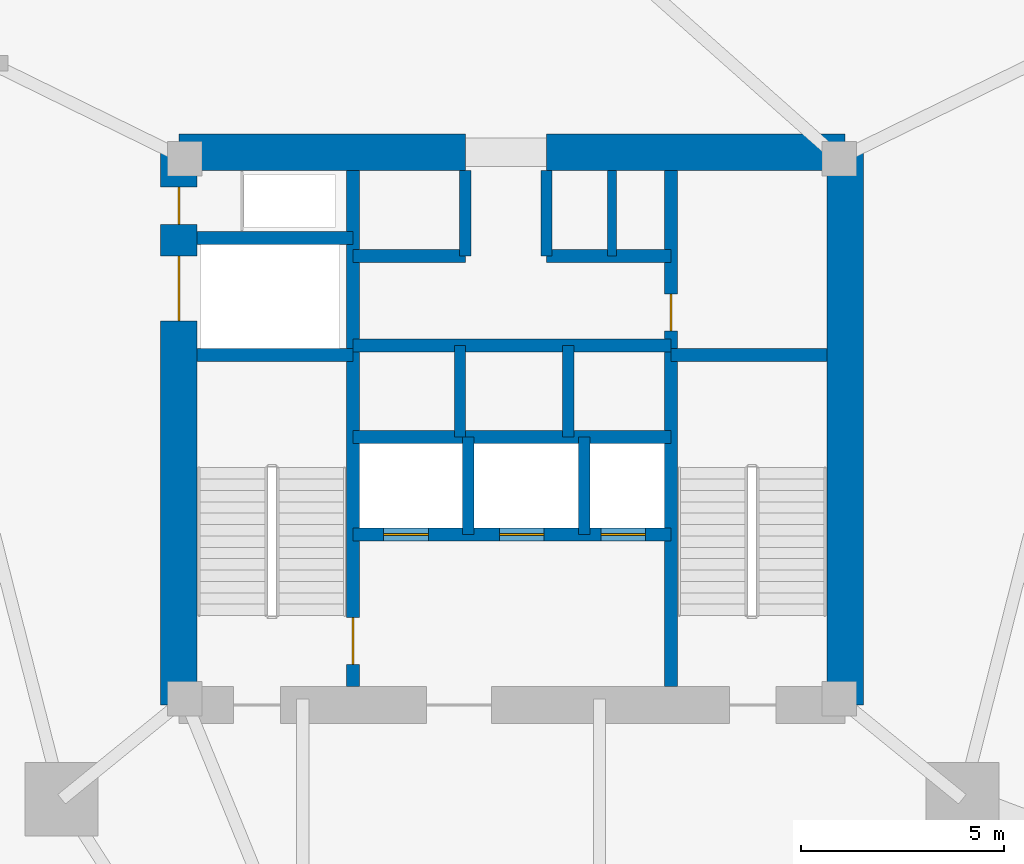
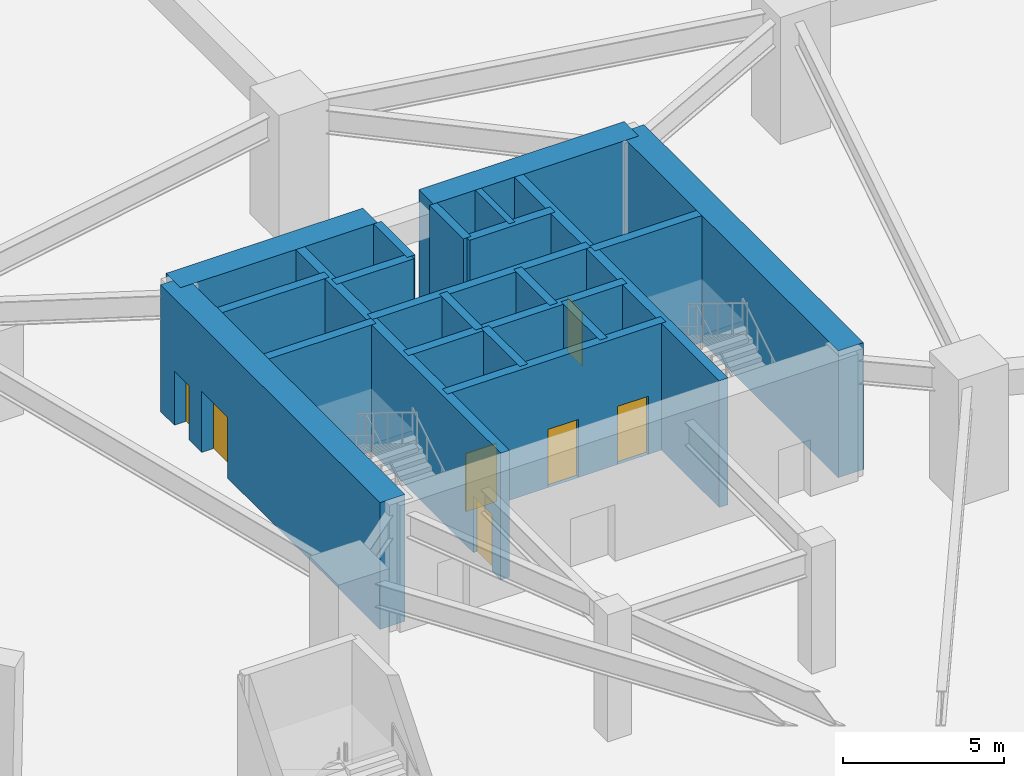
# One storey, part 5 of 7: 21 walls, 7 doors, 7 openings.
"""IFC4 building model written with IfcOpenShell, lengths in metres."""

from ifc_helpers import new_model, si_unit, direction, frame, frame_2d, origin, place, context, subcontext, project, spatial, rectangle, extrude, material, layer, layer_set, type_object, element, fill, save


model = new_model("IFC4")

# Units and contexts
model_context = context("Model", 3, precision=1e-05, world=origin(), true_north=direction((0.0, 1.0)))
body_context = subcontext(model_context, "Body", "Model", "MODEL_VIEW")
ifc_project = project(units=[si_unit("LENGTHUNIT", "METRE"), si_unit("AREAUNIT", "SQUARE_METRE"), si_unit("VOLUMEUNIT", "CUBIC_METRE"), si_unit("PLANEANGLEUNIT", "RADIAN"), si_unit("MASSUNIT", "GRAM", prefix="KILO")], contexts=[model_context])

# Site, building, storey
site_placement = place(None, origin())
site = spatial("IfcSite", under=ifc_project, at=site_placement, CompositionType="ELEMENT")
building_placement = place(site_placement, origin())
building = spatial("IfcBuilding", under=site, at=building_placement, Name="Talyreon Biosciences Tower", CompositionType="ELEMENT")
storey_placement = place(building_placement, frame((0.0, 0.0, -4.800048828125)))
storey = spatial("IfcBuildingStorey", under=building, at=storey_placement, Name="B1", CompositionType="ELEMENT", Elevation=-4.800048828125)

# Walls
ifc_material_1 = material(Name="Concrete C50/60", Category="concrete")
ifc_layer_1 = layer(ifc_material_1, 0.219970703125)
ifc_layer_set_1 = layer_set([ifc_layer_1], Name="Concrete C50/60")
wall_type_1 = type_object("IfcWallType", Name="CoreShearWall_220", PredefinedType="SHEAR", material=ifc_layer_set_1)
wall_1_placement = place(storey_placement, frame((68.4599609375, 72.25, 0.0), z_axis=(0.0, 0.0, 1.0), x_axis=(0.0, 1.0, 0.0)))
element("IfcWall", 1, at=wall_1_placement, inside=storey, type_object=wall_type_1, Name="B1 Core Shaft Wall SWPHD", PredefinedType="SHEAR", context=body_context, shape_type="SweptSolid", body=[
    extrude(rectangle(XDim=2.10009765625, YDim=0.219970703125, at=frame_2d((1.050048828125, 0.0))), origin(), (0.0, 0.0, 1.0), 4.800048828125),
])
ifc_layer_2 = layer(ifc_material_1, 0.280029296875)
ifc_layer_set_2 = layer_set([ifc_layer_2], Name="Concrete C50/60")
wall_type_2 = type_object("IfcWallType", Name="CoreShearWall_280", PredefinedType="SHEAR", material=ifc_layer_set_2)
wall_2_placement = place(storey_placement, frame((64.919921875, 65.39990234375, 0.0), z_axis=(0.0, 0.0, 1.0), x_axis=(0.0, 1.0, 0.0)))
element("IfcWall", 2, at=wall_2_placement, inside=storey, type_object=wall_type_2, Name="B1 Core Shaft Wall SWSHD1", PredefinedType="SHEAR", context=body_context, shape_type="SweptSolid", body=[
    extrude(rectangle(XDim=2.400146484375, YDim=0.280029296875, at=frame_2d((1.2001953125, 0.0))), origin(), (0.0, 0.0, 1.0), 4.800048828125),
])
for number, where, z_axis, x_axis, name in (
    (3, (64.85009765625, 72.25, 0.0), (0.0, 0.0, 1.0), (0.0, 1.0, 0.0), "B1 Core Shaft Wall SWTHW"),
    (4, (66.85009765625, 72.25, 0.0), (0.0, 0.0, 1.0), (0.0, 1.0, 0.0), "B1 Core Shaft Wall SWTHE"),
):
    element("IfcWall", number, at=place(storey_placement, frame(where, z_axis=z_axis, x_axis=x_axis)), inside=storey, type_object=wall_type_2, Name=name, PredefinedType="SHEAR", context=body_context, shape_type="SweptSolid", body=[
        extrude(rectangle(XDim=2.10009765625, YDim=0.280029296875, at=frame_2d((1.050048828125, 0.0))), origin(), (0.0, 0.0, 1.0), 4.800048828125),
    ])
wall_3_placement = place(storey_placement, frame((67.780029296875, 65.39990234375, 0.0), z_axis=(0.0, 0.0, 1.0), x_axis=(0.0, 1.0, 0.0)))
element("IfcWall", 5, at=wall_3_placement, inside=storey, type_object=wall_type_2, Name="B1 Core Shaft Wall SWSHD2", PredefinedType="SHEAR", context=body_context, shape_type="SweptSolid", body=[
    extrude(rectangle(XDim=2.400146484375, YDim=0.280029296875, at=frame_2d((1.2001953125, 0.0))), origin(), (0.0, 0.0, 1.0), 4.800048828125),
])
for number, where, z_axis, x_axis, name in (
    (6, (64.719970703125, 67.800048828125, 0.0), (0.0, 0.0, 1.0), (0.0, 1.0, 0.0), "B1 Core Shaft Wall SWPLD"),
    (7, (67.3798828125, 67.800048828125, 0.0), (0.0, 0.0, 1.0), (0.0, 1.0, 0.0), "B1 Core Shaft Wall SWPMD"),
):
    element("IfcWall", number, at=place(storey_placement, frame(where, z_axis=z_axis, x_axis=x_axis)), inside=storey, type_object=wall_type_2, Name=name, PredefinedType="SHEAR", context=body_context, shape_type="SweptSolid", body=[
        extrude(rectangle(XDim=2.25, YDim=0.280029296875, at=frame_2d((1.125, 0.0))), origin(), (0.0, 0.0, 1.0), 4.800048828125),
    ])

# Wall, opening, door
ifc_layer_3 = layer(ifc_material_1, 0.320068359375)
ifc_layer_set_3 = layer_set([ifc_layer_3], Name="Concrete C50/60")
wall_type_3 = type_object("IfcWallType", Name="CoreShearWall_320", PredefinedType="SHEAR", material=ifc_layer_set_3)
wall_4_placement = place(storey_placement, frame((62.090087890625, 61.64990234375, 0.0), z_axis=(0.0, 0.0, 1.0), x_axis=(0.0, 1.0, 0.0)))
wall_4 = element("IfcWall", 8, at=wall_4_placement, inside=storey, type_object=wall_type_3, Name="B1 Core Shaft Wall SW1E", PredefinedType="SHEAR", context=body_context, shape_type="SweptSolid", body=[
    extrude(rectangle(XDim=12.7001953125, YDim=0.320068359375, at=frame_2d((6.35009765625, 0.0))), origin(), (0.0, 0.0, 1.0), 4.800048828125),
])
opening_1_placement = place(wall_4_placement, frame((0.550048828125, 0.0, 0.0)))
opening_1 = element("IfcOpeningElement", 9, at=opening_1_placement, cuts=wall_4, Name="Opening DR-B1-FF-ST1", PredefinedType="OPENING", context=body_context, shape_type="SweptSolid", body=[
    extrude(rectangle(XDim=1.14990234375, YDim=2.14990234375, at=frame_2d((0.574951171875, 1.074951171875))), frame((0.0, 0.169921875, 0.0), z_axis=(0.0, -1.0, 0.0), x_axis=(1.0, 0.0, 0.0)), (0.0, 0.0, 1.0), 0.340087890625),
])
ifc_material_2 = material(Name="Painted steel fire door", Category="steel")
door_type_1 = type_object("IfcDoorType", Name="StairShaftFireDoor_1150x2150", OperationType="NOTDEFINED", PredefinedType="DOOR", material=ifc_material_2)
door_1_placement = place(opening_1_placement, origin())
door_1 = element("IfcDoor", 10, at=door_1_placement, inside=storey, type_object=door_type_1, Name="B1 Core Door DR-B1-FF-ST1", OperationType="SINGLE_SWING_LEFT", OverallHeight=2.14990234375, OverallWidth=1.14990234375, PredefinedType="DOOR", context=body_context, shape_type="SweptSolid", body=[
    extrude(rectangle(XDim=1.14990234375, YDim=2.14990234375, at=frame_2d((0.574951171875, 1.074951171875))), frame((0.0, 0.02490234375, 0.0), z_axis=(0.0, -1.0, 0.0), x_axis=(1.0, 0.0, 0.0)), (0.0, 0.0, 1.0), 0.050048828125),
])
fill(opening_1, door_1)

wall_5_placement = place(storey_placement, frame((69.909912109375, 61.64990234375, 0.0), z_axis=(0.0, 0.0, 1.0), x_axis=(0.0, 1.0, 0.0)))
wall_5 = element("IfcWall", 11, at=wall_5_placement, inside=storey, type_object=wall_type_3, Name="B1 Core Shaft Wall SW2W", PredefinedType="SHEAR", context=body_context, shape_type="SweptSolid", body=[
    extrude(rectangle(XDim=12.7001953125, YDim=0.320068359375, at=frame_2d((6.35009765625, 0.0))), origin(), (0.0, 0.0, 1.0), 4.800048828125),
])
opening_2_placement = place(wall_5_placement, frame((8.75, 0.0, 0.0)))
opening_2 = element("IfcOpeningElement", 12, at=opening_2_placement, cuts=wall_5, Name="Opening DR-B1-CSRV", PredefinedType="OPENING", context=body_context, shape_type="SweptSolid", body=[
    extrude(rectangle(XDim=0.919921875, YDim=2.050048828125, at=frame_2d((0.4599609375, 1.02490234375))), frame((0.0, 0.169921875, 0.0), z_axis=(0.0, -1.0, 0.0), x_axis=(1.0, 0.0, 0.0)), (0.0, 0.0, 1.0), 0.340087890625),
])
ifc_material_3 = material(Name="Painted steel fire-rated riser door", Category="steel")
door_type_2 = type_object("IfcDoorType", Name="RiserPlantAccessDoor_920x2050", OperationType="NOTDEFINED", PredefinedType="DOOR", material=ifc_material_3)
door_2_placement = place(opening_2_placement, origin())
door_2 = element("IfcDoor", 13, at=door_2_placement, inside=storey, type_object=door_type_2, Name="B1 Core Door DR-B1-CSRV", OperationType="SINGLE_SWING_RIGHT", OverallHeight=2.050048828125, OverallWidth=0.919921875, PredefinedType="DOOR", context=body_context, shape_type="SweptSolid", body=[
    extrude(rectangle(XDim=0.919921875, YDim=2.050048828125, at=frame_2d((0.4599609375, 1.02490234375))), frame((0.0, 0.02490234375, 0.0), z_axis=(0.0, -1.0, 0.0), x_axis=(1.0, 0.0, 0.0)), (0.0, 0.0, 1.0), 0.050048828125),
])
fill(opening_2, door_2)

# Walls
for number, where, z_axis, x_axis, name in (
    (14, (58.25, 69.81005859375, 0.0), (0.0, 0.0, 1.0), (1.0, 0.0, 0.0), "B1 Core Shaft Wall SW1N"),
    (15, (69.909912109375, 69.81005859375, 0.0), (0.0, 0.0, 1.0), (1.0, 0.0, 0.0), "B1 Core Shaft Wall SW2N"),
    (16, (58.25, 72.699951171875, 0.0), (0.0, 0.0, 1.0), (1.0, 0.0, 0.0), "B1 Core Shaft Wall SWGLN"),
):
    element("IfcWall", number, at=place(storey_placement, frame(where, z_axis=z_axis, x_axis=x_axis)), inside=storey, type_object=wall_type_3, Name=name, PredefinedType="SHEAR", context=body_context, shape_type="SweptSolid", body=[
        extrude(rectangle(XDim=3.840087890625, YDim=0.320068359375, at=frame_2d((1.919921875, 0.0))), origin(), (0.0, 0.0, 1.0), 4.800048828125),
    ])
for number, where, z_axis, x_axis, name in (
    (17, (62.090087890625, 67.800048828125, 0.0), (0.0, 0.0, 1.0), (1.0, 0.0, 0.0), "B1 Core Shaft Wall SWSHM"),
    (18, (62.090087890625, 70.050048828125, 0.0), (0.0, 0.0, 1.0), (1.0, 0.0, 0.0), "B1 Core Shaft Wall SWSPN"),
):
    element("IfcWall", number, at=place(storey_placement, frame(where, z_axis=z_axis, x_axis=x_axis)), inside=storey, type_object=wall_type_3, Name=name, PredefinedType="SHEAR", context=body_context, shape_type="SweptSolid", body=[
        extrude(rectangle(XDim=7.81982421875, YDim=0.320068359375, at=frame_2d((3.909912109375, 0.0))), origin(), (0.0, 0.0, 1.0), 4.800048828125),
    ])
wall_6_placement = place(storey_placement, frame((62.090087890625, 72.25, 0.0), z_axis=(0.0, 0.0, 1.0), x_axis=(1.0, 0.0, 0.0)))
element("IfcWall", 19, at=wall_6_placement, inside=storey, type_object=wall_type_3, Name="B1 Core Shaft Wall SWNPW", PredefinedType="SHEAR", context=body_context, shape_type="SweptSolid", body=[
    extrude(rectangle(XDim=2.760009765625, YDim=0.320068359375, at=frame_2d((1.3798828125, 0.0))), origin(), (0.0, 0.0, 1.0), 4.800048828125),
])
wall_7_placement = place(storey_placement, frame((66.85009765625, 72.25, 0.0), z_axis=(0.0, 0.0, 1.0), x_axis=(1.0, 0.0, 0.0)))
element("IfcWall", 20, at=wall_7_placement, inside=storey, type_object=wall_type_3, Name="B1 Core Shaft Wall SWNPE", PredefinedType="SHEAR", context=body_context, shape_type="SweptSolid", body=[
    extrude(rectangle(XDim=3.059814453125, YDim=0.320068359375, at=frame_2d((1.52978515625, 0.0))), origin(), (0.0, 0.0, 1.0), 4.800048828125),
])

# Wall, openings, doors
wall_8_placement = place(storey_placement, frame((62.090087890625, 65.39990234375, 0.0), z_axis=(0.0, 0.0, 1.0), x_axis=(1.0, 0.0, 0.0)))
wall_8 = element("IfcWall", 21, at=wall_8_placement, inside=storey, type_object=wall_type_3, Name="B1 Core Shaft Wall SWFFN", PredefinedType="SHEAR", context=body_context, shape_type="SweptSolid", body=[
    extrude(rectangle(XDim=7.81982421875, YDim=0.320068359375, at=frame_2d((3.909912109375, 0.0))), origin(), (0.0, 0.0, 1.0), 4.800048828125),
])
opening_3_placement = place(wall_8_placement, frame((6.10009765625, 0.0, 0.0)))
opening_3 = element("IfcOpeningElement", 22, at=opening_3_placement, cuts=wall_8, Name="Opening LD-B1-PK1", PredefinedType="OPENING", context=body_context, shape_type="SweptSolid", body=[
    extrude(rectangle(XDim=1.10009765625, YDim=2.199951171875, at=frame_2d((0.550048828125, 1.10009765625))), frame((0.0, 0.169921875, 0.0), z_axis=(0.0, -1.0, 0.0), x_axis=(1.0, 0.0, 0.0)), (0.0, 0.0, 1.0), 0.340087890625),
])
opening_4_placement = place(wall_8_placement, frame((0.75, 0.0, 0.0)))
opening_4 = element("IfcOpeningElement", 23, at=opening_4_placement, cuts=wall_8, Name="Opening LD-B1-FL1", PredefinedType="OPENING", context=body_context, shape_type="SweptSolid", body=[
    extrude(rectangle(XDim=1.10009765625, YDim=2.199951171875, at=frame_2d((0.550048828125, 1.10009765625))), frame((0.0, 0.169921875, 0.0), z_axis=(0.0, -1.0, 0.0), x_axis=(1.0, 0.0, 0.0)), (0.0, 0.0, 1.0), 0.340087890625),
])
opening_5_placement = place(wall_8_placement, frame((3.60009765625, 0.0, 0.0)))
opening_5 = element("IfcOpeningElement", 24, at=opening_5_placement, cuts=wall_8, Name="Opening LD-B1-FL2", PredefinedType="OPENING", context=body_context, shape_type="SweptSolid", body=[
    extrude(rectangle(XDim=1.10009765625, YDim=2.199951171875, at=frame_2d((0.550048828125, 1.10009765625))), frame((0.0, 0.169921875, 0.0), z_axis=(0.0, -1.0, 0.0), x_axis=(1.0, 0.0, 0.0)), (0.0, 0.0, 1.0), 0.340087890625),
])
ifc_material_4 = material(Name="Brushed stainless-steel lift landing door", Category="steel")
door_type_3 = type_object("IfcDoorType", Name="LiftSlidingLandingDoor_1100x2200", OperationType="SLIDING_TO_LEFT", PredefinedType="DOOR", material=ifc_material_4)
door_3_placement = place(opening_3_placement, origin())
door_3 = element("IfcDoor", 25, at=door_3_placement, inside=storey, type_object=door_type_3, Name="B1 Core Door LD-B1-PK1", OperationType="SLIDING_TO_LEFT", OverallHeight=2.199951171875, OverallWidth=1.10009765625, PredefinedType="DOOR", context=body_context, shape_type="SweptSolid", body=[
    extrude(rectangle(XDim=1.10009765625, YDim=2.199951171875, at=frame_2d((0.550048828125, 1.10009765625))), frame((0.0, 0.02490234375, 0.0), z_axis=(0.0, -1.0, 0.0), x_axis=(1.0, 0.0, 0.0)), (0.0, 0.0, 1.0), 0.050048828125),
])
fill(opening_3, door_3)
door_4_placement = place(opening_4_placement, origin())
door_4 = element("IfcDoor", 26, at=door_4_placement, inside=storey, type_object=door_type_3, Name="B1 Core Door LD-B1-FL1", OperationType="SLIDING_TO_LEFT", OverallHeight=2.199951171875, OverallWidth=1.10009765625, PredefinedType="DOOR", context=body_context, shape_type="SweptSolid", body=[
    extrude(rectangle(XDim=1.10009765625, YDim=2.199951171875, at=frame_2d((0.550048828125, 1.10009765625))), frame((0.0, 0.02490234375, 0.0), z_axis=(0.0, -1.0, 0.0), x_axis=(1.0, 0.0, 0.0)), (0.0, 0.0, 1.0), 0.050048828125),
])
fill(opening_4, door_4)
door_5_placement = place(opening_5_placement, origin())
door_5 = element("IfcDoor", 27, at=door_5_placement, inside=storey, type_object=door_type_3, Name="B1 Core Door LD-B1-FL2", OperationType="SLIDING_TO_LEFT", OverallHeight=2.199951171875, OverallWidth=1.10009765625, PredefinedType="DOOR", context=body_context, shape_type="SweptSolid", body=[
    extrude(rectangle(XDim=1.10009765625, YDim=2.199951171875, at=frame_2d((0.550048828125, 1.10009765625))), frame((0.0, 0.02490234375, 0.0), z_axis=(0.0, -1.0, 0.0), x_axis=(1.0, 0.0, 0.0)), (0.0, 0.0, 1.0), 0.050048828125),
])
fill(opening_5, door_5)

# Walls
ifc_material_5 = material(Name="Concrete C60/75", Category="concrete")
ifc_layer_4 = layer(ifc_material_5, 0.89990234375)
ifc_layer_set_4 = layer_set([ifc_layer_4], Name="Concrete C60/75")
wall_type_4 = type_object("IfcWallType", Name="CoreShearWall_900", PredefinedType="SHEAR", material=ifc_layer_set_4)
wall_9_placement = place(storey_placement, frame((74.199951171875, 61.199951171875, 0.0), z_axis=(0.0, 0.0, 1.0), x_axis=(0.0, 1.0, 0.0)))
element("IfcWall", 28, at=wall_9_placement, inside=storey, type_object=wall_type_4, Name="B1 Core Shear Wall E", PredefinedType="SHEAR", context=body_context, shape_type="SweptSolid", body=[
    extrude(rectangle(XDim=13.60009765625, YDim=0.89990234375, at=frame_2d((6.800048828125, 0.0))), origin(), (0.0, 0.0, 1.0), 4.800048828125),
])
wall_10_placement = place(storey_placement, frame((74.199951171875, 74.800048828125, 0.0), z_axis=(0.0, 0.0, 1.0), x_axis=(-1.0, 0.0, 0.0)))
element("IfcWall", 29, at=wall_10_placement, inside=storey, type_object=wall_type_4, Name="B1 Core Shear Wall NE", PredefinedType="SHEAR", context=body_context, shape_type="SweptSolid", body=[
    extrude(rectangle(XDim=7.349853515625, YDim=0.89990234375, at=frame_2d((3.6748046875, 0.0))), origin(), (0.0, 0.0, 1.0), 4.800048828125),
])
wall_11_placement = place(storey_placement, frame((64.85009765625, 74.800048828125, 0.0), z_axis=(0.0, 0.0, 1.0), x_axis=(-1.0, 0.0, 0.0)))
element("IfcWall", 30, at=wall_11_placement, inside=storey, type_object=wall_type_4, Name="B1 Core Shear Wall NW", PredefinedType="SHEAR", context=body_context, shape_type="SweptSolid", body=[
    extrude(rectangle(XDim=7.050048828125, YDim=0.89990234375, at=frame_2d((3.52490234375, 0.0))), origin(), (0.0, 0.0, 1.0), 4.800048828125),
])

# Wall, openings, doors
wall_12_placement = place(storey_placement, frame((57.800048828125, 74.800048828125, 0.0), z_axis=(0.0, 0.0, 1.0), x_axis=(0.0, -1.0, 0.0)))
wall_12 = element("IfcWall", 31, at=wall_12_placement, inside=storey, type_object=wall_type_4, Name="B1 Core Shear Wall W", PredefinedType="SHEAR", context=body_context, shape_type="SweptSolid", body=[
    extrude(rectangle(XDim=13.60009765625, YDim=0.89990234375, at=frame_2d((6.800048828125, 0.0))), origin(), (0.0, 0.0, 1.0), 4.800048828125),
])
opening_6_placement = place(wall_12_placement, frame((0.85009765625, 0.0, 0.0)))
opening_6 = element("IfcOpeningElement", 32, at=opening_6_placement, cuts=wall_12, Name="Opening DR-B1-RSW", PredefinedType="OPENING", context=body_context, shape_type="SweptSolid", body=[
    extrude(rectangle(XDim=0.919921875, YDim=2.050048828125, at=frame_2d((0.4599609375, 1.02490234375))), frame((0.0, 0.4599609375, 0.0), z_axis=(0.0, -1.0, 0.0), x_axis=(1.0, 0.0, 0.0)), (0.0, 0.0, 1.0), 0.919921875),
])
opening_7_placement = place(wall_12_placement, frame((2.550048828125, 0.0, 0.0)))
opening_7 = element("IfcOpeningElement", 33, at=opening_7_placement, cuts=wall_12, Name="Opening LD-B1-GL1", PredefinedType="OPENING", context=body_context, shape_type="SweptSolid", body=[
    extrude(rectangle(XDim=1.60009765625, YDim=2.300048828125, at=frame_2d((0.800048828125, 1.14990234375))), frame((0.0, 0.4599609375, 0.0), z_axis=(0.0, -1.0, 0.0), x_axis=(1.0, 0.0, 0.0)), (0.0, 0.0, 1.0), 0.919921875),
])
ifc_material_6 = material(Name="Heavy-duty stainless-steel goods lift door", Category="steel")
door_type_4 = type_object("IfcDoorType", Name="GoodsLiftSlidingDoor_1600x2300", OperationType="DOUBLE_DOOR_SLIDING", PredefinedType="DOOR", material=ifc_material_6)
door_6_placement = place(opening_7_placement, origin())
door_6 = element("IfcDoor", 34, at=door_6_placement, inside=storey, type_object=door_type_4, Name="B1 Core Door LD-B1-GL1", OperationType="DOUBLE_DOOR_SLIDING", OverallHeight=2.300048828125, OverallWidth=1.60009765625, PredefinedType="DOOR", context=body_context, shape_type="SweptSolid", body=[
    extrude(rectangle(XDim=1.60009765625, YDim=2.300048828125, at=frame_2d((0.800048828125, 1.14990234375))), frame((0.0, 0.02490234375, 0.0), z_axis=(0.0, -1.0, 0.0), x_axis=(1.0, 0.0, 0.0)), (0.0, 0.0, 1.0), 0.050048828125),
])
fill(opening_7, door_6)
door_7_placement = place(opening_6_placement, origin())
door_7 = element("IfcDoor", 35, at=door_7_placement, inside=storey, type_object=door_type_2, Name="B1 Core Door DR-B1-RSW", OperationType="SINGLE_SWING_LEFT", OverallHeight=2.050048828125, OverallWidth=0.919921875, PredefinedType="DOOR", context=body_context, shape_type="SweptSolid", body=[
    extrude(rectangle(XDim=0.919921875, YDim=2.050048828125, at=frame_2d((0.4599609375, 1.02490234375))), frame((0.0, 0.02490234375, 0.0), z_axis=(0.0, -1.0, 0.0), x_axis=(1.0, 0.0, 0.0)), (0.0, 0.0, 1.0), 0.050048828125),
])
fill(opening_6, door_7)

save(model, "model.ifc")
